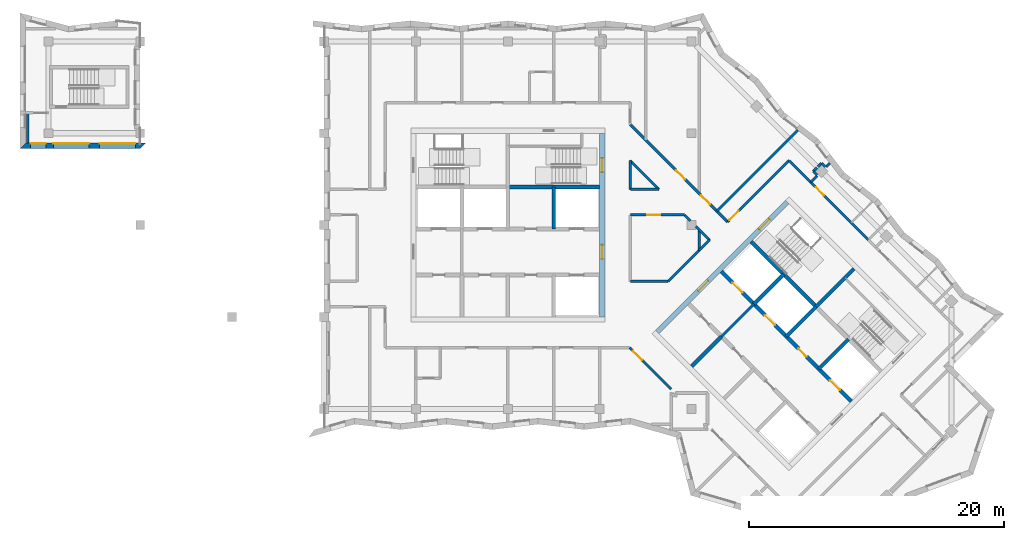
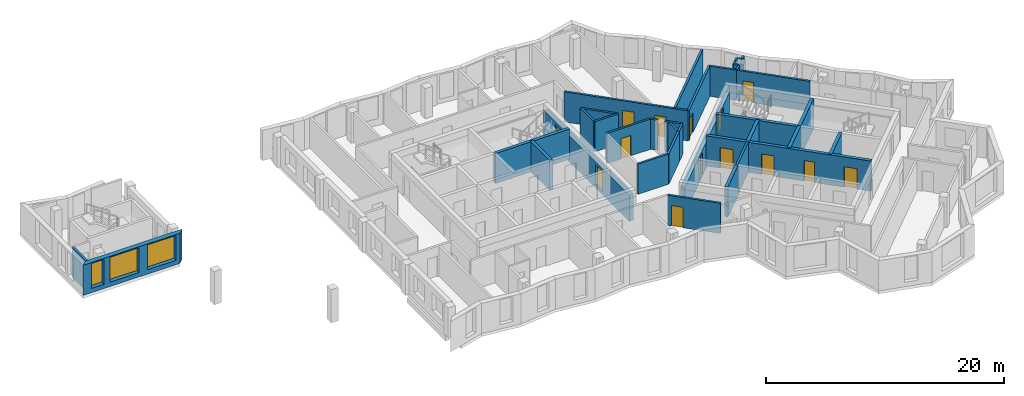
# One storey, part 4 of 12: 36 walls, 14 doors, 3 windows, 17 openings.
"""IFC4 building model written with IfcOpenShell, lengths in metres."""

from ifc_helpers import new_model, si_unit, direction, frame, frame_2d, origin, place, context, subcontext, project, spatial, polyline, rectangle, outline, extrude, material, layer, layer_set, type_object, element, fill, save


model = new_model("IFC4")

# Units and contexts
model_context = context("Model", 3, precision=1e-05, world=origin(), true_north=direction((0.0, 1.0)))
body_context = subcontext(model_context, "Body", "Model", "MODEL_VIEW")
ifc_project = project(units=[si_unit("LENGTHUNIT", "METRE"), si_unit("AREAUNIT", "SQUARE_METRE"), si_unit("VOLUMEUNIT", "CUBIC_METRE"), si_unit("PLANEANGLEUNIT", "RADIAN"), si_unit("MASSUNIT", "GRAM", prefix="KILO")], contexts=[model_context])

# Site, building, storey
site_placement = place(None, origin())
site = spatial("IfcSite", under=ifc_project, at=site_placement, CompositionType="ELEMENT")
building_placement = place(site_placement, origin())
building = spatial("IfcBuilding", under=site, at=building_placement, Name="Windrow Commons", CompositionType="ELEMENT")
storey_placement = place(building_placement, frame((0.0, 0.0, 257.4)))
storey = spatial("IfcBuildingStorey", under=building, at=storey_placement, Name="L70", CompositionType="ELEMENT", Elevation=257.4)

# Wall, openings, windows
ifc_material_1 = material(Name="Brick masonry, red clay brick", Category="masonry")
ifc_layer_1 = layer(ifc_material_1, 0.45)
ifc_layer_set_1 = layer_set([ifc_layer_1], Name="Brick facade wall 450")
wall_type_1 = type_object("IfcWallType", Name="Brick facade wall 450", PredefinedType="SOLIDWALL", material=ifc_layer_set_1)
wall_1_placement = place(storey_placement, frame((26.804, 63.825, 0.0), z_axis=(0.0, 0.0, 1.0), x_axis=(1.0, 0.0, 0.0)))
wall_1 = element("IfcWall", 1, at=wall_1_placement, inside=storey, type_object=wall_type_1, Name="Brick facade wall L70 32", PredefinedType="SOLIDWALL", context=body_context, shape_type="SweptSolid", body=[
    extrude(outline(polyline([(-0.225, -0.225), (9.196, -0.225), (9.646, 0.225), (0.225, 0.225), (-0.225, -0.225)])), origin(), (0.0, 0.0, 1.0), 3.1),
])
opening_1_placement = place(wall_1_placement, frame((2.396, 0.0, 0.45)))
opening_1 = element("IfcOpeningElement", 2, at=opening_1_placement, cuts=wall_1, Name="Opening W1V", PredefinedType="OPENING", context=body_context, shape_type="SweptSolid", body=[
    extrude(rectangle(XDim=2.8, YDim=2.55, at=frame_2d((1.4, 1.275))), frame((0.0, 0.235, 0.0), z_axis=(0.0, -1.0, 0.0), x_axis=(1.0, 0.0, 0.0)), (0.0, 0.0, 1.0), 0.47),
])
opening_2_placement = place(wall_1_placement, frame((6.0085, 0.0, 0.45)))
opening_2 = element("IfcOpeningElement", 3, at=opening_2_placement, cuts=wall_1, Name="Opening W1V", PredefinedType="OPENING", context=body_context, shape_type="SweptSolid", body=[
    extrude(rectangle(XDim=2.8, YDim=2.55, at=frame_2d((1.4, 1.275))), frame((0.0, 0.235, 0.0), z_axis=(0.0, -1.0, 0.0), x_axis=(1.0, 0.0, 0.0)), (0.0, 0.0, 1.0), 0.47),
])
opening_3_placement = place(wall_1_placement, frame((0.6105, 0.0, 0.45)))
opening_3 = element("IfcOpeningElement", 4, at=opening_3_placement, cuts=wall_1, Name="Opening W7F", PredefinedType="OPENING", context=body_context, shape_type="SweptSolid", body=[
    extrude(rectangle(XDim=1.2, YDim=2.55, at=frame_2d((0.6, 1.275))), frame((0.0, 0.235, 0.0), z_axis=(0.0, -1.0, 0.0), x_axis=(1.0, 0.0, 0.0)), (0.0, 0.0, 1.0), 0.47),
])
ifc_material_2 = material(Name="Clear float glass in anodised aluminium frame", Category="aluminium")
window_type_1 = type_object("IfcWindowType", Name="Window W1V bedroom 2800x2550", PartitioningType="SINGLE_PANEL", PredefinedType="WINDOW", material=ifc_material_2)
window_1_placement = place(opening_1_placement, origin())
window_1 = element("IfcWindow", 5, at=window_1_placement, inside=storey, type_object=window_type_1, Name="Window L70 32.1", OverallHeight=2.55, OverallWidth=2.8, PartitioningType="SINGLE_PANEL", PredefinedType="WINDOW", context=body_context, shape_type="SweptSolid", body=[
    extrude(rectangle(XDim=2.8, YDim=2.55, at=frame_2d((1.4, 1.275))), frame((0.0, 0.205, 0.0), z_axis=(0.0, -1.0, 0.0), x_axis=(1.0, 0.0, 0.0)), (0.0, 0.0, 1.0), 0.06),
])
fill(opening_1, window_1)
window_2_placement = place(opening_2_placement, origin())
window_2 = element("IfcWindow", 6, at=window_2_placement, inside=storey, type_object=window_type_1, Name="Window L70 32.2", OverallHeight=2.55, OverallWidth=2.8, PartitioningType="SINGLE_PANEL", PredefinedType="WINDOW", context=body_context, shape_type="SweptSolid", body=[
    extrude(rectangle(XDim=2.8, YDim=2.55, at=frame_2d((1.4, 1.275))), frame((0.0, 0.205, 0.0), z_axis=(0.0, -1.0, 0.0), x_axis=(1.0, 0.0, 0.0)), (0.0, 0.0, 1.0), 0.06),
])
fill(opening_2, window_2)
ifc_material_3 = material(Name="Clear float glass in anodised aluminium frame", Category="aluminium")
window_type_2 = type_object("IfcWindowType", Name="Window W7 notch 1200x2550", PartitioningType="SINGLE_PANEL", PredefinedType="WINDOW", material=ifc_material_3)
window_3_placement = place(opening_3_placement, origin())
window_3 = element("IfcWindow", 7, at=window_3_placement, inside=storey, type_object=window_type_2, Name="Window L70 32.3", OverallHeight=2.55, OverallWidth=1.2, PartitioningType="SINGLE_PANEL", PredefinedType="WINDOW", context=body_context, shape_type="SweptSolid", body=[
    extrude(rectangle(XDim=1.2, YDim=2.55, at=frame_2d((0.6, 1.275))), frame((0.0, 0.205, 0.0), z_axis=(0.0, -1.0, 0.0), x_axis=(1.0, 0.0, 0.0)), (0.0, 0.0, 1.0), 0.06),
])
fill(opening_3, window_3)

# Wall
ifc_material_4 = material(Name="Blockwork partition", Category="masonry")
ifc_layer_2 = layer(ifc_material_4, 0.2)
ifc_layer_set_2 = layer_set([ifc_layer_2], Name="Fire lobby partition 200")
wall_type_2 = type_object("IfcWallType", Name="Fire lobby partition 200", PredefinedType="PARTITIONING", material=ifc_layer_set_2)
wall_2_placement = place(storey_placement, frame((81.5335, 48.8776, 0.0), z_axis=(0.0, 0.0, 1.0), x_axis=(0.707092892, 0.7071206701, 0.0)))
element("IfcWall", 8, at=wall_2_placement, inside=storey, type_object=wall_type_2, Name="W-core-lobby-B-L70", PredefinedType="PARTITIONING", context=body_context, shape_type="SweptSolid", body=[
    extrude(rectangle(XDim=3.6, YDim=0.2, at=frame_2d((1.8, 0.0))), origin(), (0.0, 0.0, 1.0), 3.1),
])

# Wall, openings, doors
ifc_material_5 = material(Name="Blockwork partition", Category="masonry")
ifc_layer_3 = layer(ifc_material_5, 0.2)
ifc_layer_set_3 = layer_set([ifc_layer_3], Name="IW-CORRIDOR-200")
wall_type_3 = type_object("IfcWallType", Name="IW-CORRIDOR-200", PredefinedType="PARTITIONING", material=ifc_layer_set_3)
wall_3_placement = place(storey_placement, frame((74.3969, 65.4829, 0.0), z_axis=(0.0, 0.0, 1.0), x_axis=(0.7071067812, -0.7071067812, 0.0)))
wall_3 = element("IfcWall", 9, at=wall_3_placement, inside=storey, type_object=wall_type_3, Name="W-L70-W005", PredefinedType="PARTITIONING", context=body_context, shape_type="SweptSolid", body=[
    extrude(rectangle(XDim=10.7876, YDim=0.2, at=frame_2d((5.3938, 0.0))), origin(), (0.0, 0.0, 1.0), 3.1),
])
opening_4_placement = place(wall_3_placement, frame((5.0831, 0.0, 0.0)))
opening_4 = element("IfcOpeningElement", 10, at=opening_4_placement, cuts=wall_3, Name="Opening D310F", PredefinedType="OPENING", context=body_context, shape_type="SweptSolid", body=[
    extrude(rectangle(XDim=1.0, YDim=2.1, at=frame_2d((0.5, 1.05))), frame((0.0, 0.11, 0.0), z_axis=(0.0, -1.0, 0.0), x_axis=(1.0, 0.0, 0.0)), (0.0, 0.0, 1.0), 0.22),
])
opening_5_placement = place(wall_3_placement, frame((7.858, 0.0, 0.0)))
opening_5 = element("IfcOpeningElement", 11, at=opening_5_placement, cuts=wall_3, Name="Opening D310F", PredefinedType="OPENING", context=body_context, shape_type="SweptSolid", body=[
    extrude(rectangle(XDim=1.0, YDim=2.1, at=frame_2d((0.5, 1.05))), frame((0.0, 0.11, 0.0), z_axis=(0.0, -1.0, 0.0), x_axis=(1.0, 0.0, 0.0)), (0.0, 0.0, 1.0), 0.22),
])
ifc_material_6 = material(Name="Timber door leaf", Category="wood")
door_type_1 = type_object("IfcDoorType", Name="DT-AMENITY-1000", OperationType="SINGLE_SWING_LEFT", PredefinedType="DOOR", material=ifc_material_6)
door_1_placement = place(opening_4_placement, origin())
door_1 = element("IfcDoor", 12, at=door_1_placement, inside=storey, type_object=door_type_1, Name="D-L70-D016", OperationType="SINGLE_SWING_LEFT", OverallHeight=2.1, OverallWidth=1.0, PredefinedType="DOOR", context=body_context, shape_type="SweptSolid", body=[
    extrude(rectangle(XDim=1.0, YDim=2.1, at=frame_2d((0.5, 1.05))), frame((0.0, 0.025, 0.0), z_axis=(0.0, -1.0, 0.0), x_axis=(1.0, 0.0, 0.0)), (0.0, 0.0, 1.0), 0.05),
])
fill(opening_4, door_1)
door_2_placement = place(opening_5_placement, origin())
door_2 = element("IfcDoor", 13, at=door_2_placement, inside=storey, type_object=door_type_1, Name="D-L70-D018", OperationType="SINGLE_SWING_LEFT", OverallHeight=2.1, OverallWidth=1.0, PredefinedType="DOOR", context=body_context, shape_type="SweptSolid", body=[
    extrude(rectangle(XDim=1.0, YDim=2.1, at=frame_2d((0.5, 1.05))), frame((0.0, 0.025, 0.0), z_axis=(0.0, -1.0, 0.0), x_axis=(1.0, 0.0, 0.0)), (0.0, 0.0, 1.0), 0.05),
])
fill(opening_5, door_2)

# Wall, opening, door
wall_4_placement = place(storey_placement, frame((82.0275, 57.8585, 0.0), z_axis=(0.0, 0.0, 1.0), x_axis=(0.7071067812, 0.7071067812, 0.0)))
wall_4 = element("IfcWall", 14, at=wall_4_placement, inside=storey, type_object=wall_type_3, Name="W-L70-W012", PredefinedType="PARTITIONING", context=body_context, shape_type="SweptSolid", body=[
    extrude(rectangle(XDim=6.7995, YDim=0.2, at=frame_2d((3.3998, 0.0))), origin(), (0.0, 0.0, 1.0), 3.1),
])
opening_6_placement = place(wall_4_placement, frame((0.2109, 0.0, 0.0)))
opening_6 = element("IfcOpeningElement", 15, at=opening_6_placement, cuts=wall_4, Name="Opening D310F", PredefinedType="OPENING", context=body_context, shape_type="SweptSolid", body=[
    extrude(rectangle(XDim=1.0, YDim=2.1, at=frame_2d((0.5, 1.05))), frame((0.0, 0.11, 0.0), z_axis=(0.0, -1.0, 0.0), x_axis=(1.0, 0.0, 0.0)), (0.0, 0.0, 1.0), 0.22),
])
door_3_placement = place(opening_6_placement, origin())
door_3 = element("IfcDoor", 16, at=door_3_placement, inside=storey, type_object=door_type_1, Name="D-L70-D020", OperationType="SINGLE_SWING_RIGHT", OverallHeight=2.1, OverallWidth=1.0, PredefinedType="DOOR", context=body_context, shape_type="SweptSolid", body=[
    extrude(rectangle(XDim=1.0, YDim=2.1, at=frame_2d((0.5, 1.05))), frame((0.0, 0.025, 0.0), z_axis=(0.0, -1.0, 0.0), x_axis=(1.0, 0.0, 0.0)), (0.0, 0.0, 1.0), 0.05),
])
fill(opening_6, door_3)

wall_5_placement = place(storey_placement, frame((88.5373, 60.9733, 0.0), z_axis=(0.0, 0.0, 1.0), x_axis=(0.7071067812, -0.7071067812, 0.0)))
wall_5 = element("IfcWall", 17, at=wall_5_placement, inside=storey, type_object=wall_type_3, Name="W-L70-W014", PredefinedType="PARTITIONING", context=body_context, shape_type="SweptSolid", body=[
    extrude(rectangle(XDim=6.4007, YDim=0.2, at=frame_2d((3.2003, 0.0))), origin(), (0.0, 0.0, 1.0), 3.1),
])
opening_7_placement = place(wall_5_placement, frame((0.5685, 0.0, 0.0)))
opening_7 = element("IfcOpeningElement", 18, at=opening_7_placement, cuts=wall_5, Name="Opening D109S", PredefinedType="OPENING", context=body_context, shape_type="SweptSolid", body=[
    extrude(rectangle(XDim=0.9, YDim=2.1, at=frame_2d((0.45, 1.05))), frame((0.0, 0.11, 0.0), z_axis=(0.0, -1.0, 0.0), x_axis=(1.0, 0.0, 0.0)), (0.0, 0.0, 1.0), 0.22),
])
ifc_material_7 = material(Name="Timber door leaf", Category="wood")
door_type_2 = type_object("IfcDoorType", Name="DT-BEDROOM-900", OperationType="SINGLE_SWING_LEFT", PredefinedType="DOOR", material=ifc_material_7)
door_4_placement = place(opening_7_placement, origin())
door_4 = element("IfcDoor", 19, at=door_4_placement, inside=storey, type_object=door_type_2, Name="D-L70-D021", OperationType="SINGLE_SWING_LEFT", OverallHeight=2.1, OverallWidth=0.9, PredefinedType="DOOR", context=body_context, shape_type="SweptSolid", body=[
    extrude(rectangle(XDim=0.9, YDim=2.1, at=frame_2d((0.45, 1.05))), frame((0.0, 0.025, 0.0), z_axis=(0.0, -1.0, 0.0), x_axis=(1.0, 0.0, 0.0)), (0.0, 0.0, 1.0), 0.05),
])
fill(opening_7, door_4)

wall_6_placement = place(storey_placement, frame((74.3468, 47.9968, 0.0), z_axis=(0.0, 0.0, 1.0), x_axis=(0.7071067812, -0.7071067812, 0.0)))
wall_6 = element("IfcWall", 20, at=wall_6_placement, inside=storey, type_object=wall_type_3, Name="W-L70-W022", PredefinedType="PARTITIONING", context=body_context, shape_type="SweptSolid", body=[
    extrude(rectangle(XDim=4.5962, YDim=0.2, at=frame_2d((2.2981, 0.0))), origin(), (0.0, 0.0, 1.0), 3.1),
])
opening_8_placement = place(wall_6_placement, frame((0.3498, 0.0, 0.0)))
opening_8 = element("IfcOpeningElement", 21, at=opening_8_placement, cuts=wall_6, Name="Opening D310F", PredefinedType="OPENING", context=body_context, shape_type="SweptSolid", body=[
    extrude(rectangle(XDim=1.0, YDim=2.1, at=frame_2d((0.5, 1.05))), frame((0.0, 0.11, 0.0), z_axis=(0.0, -1.0, 0.0), x_axis=(1.0, 0.0, 0.0)), (0.0, 0.0, 1.0), 0.22),
])
door_5_placement = place(opening_8_placement, origin())
door_5 = element("IfcDoor", 22, at=door_5_placement, inside=storey, type_object=door_type_1, Name="D-L70-D006", OperationType="SINGLE_SWING_LEFT", OverallHeight=2.1, OverallWidth=1.0, PredefinedType="DOOR", context=body_context, shape_type="SweptSolid", body=[
    extrude(rectangle(XDim=1.0, YDim=2.1, at=frame_2d((0.5, 1.05))), frame((0.0, 0.025, 0.0), z_axis=(0.0, -1.0, 0.0), x_axis=(1.0, 0.0, 0.0)), (0.0, 0.0, 1.0), 0.05),
])
fill(opening_8, door_5)

wall_7_placement = place(storey_placement, frame((74.402, 58.4, 0.0), z_axis=(0.0, 0.0, 1.0), x_axis=(1.0, 0.0, 0.0)))
wall_7 = element("IfcWall", 23, at=wall_7_placement, inside=storey, type_object=wall_type_3, Name="W-L70-W030", PredefinedType="PARTITIONING", context=body_context, shape_type="SweptSolid", body=[
    extrude(rectangle(XDim=4.256, YDim=0.2, at=frame_2d((2.128, 0.0))), origin(), (0.0, 0.0, 1.0), 3.1),
])
opening_9_placement = place(wall_7_placement, frame((1.3312, 0.0, 0.0)))
opening_9 = element("IfcOpeningElement", 24, at=opening_9_placement, cuts=wall_7, Name="Opening D310F", PredefinedType="OPENING", context=body_context, shape_type="SweptSolid", body=[
    extrude(rectangle(XDim=1.0, YDim=2.1, at=frame_2d((0.5, 1.05))), frame((0.0, 0.11, 0.0), z_axis=(0.0, -1.0, 0.0), x_axis=(1.0, 0.0, 0.0)), (0.0, 0.0, 1.0), 0.22),
])
door_6_placement = place(opening_9_placement, origin())
door_6 = element("IfcDoor", 25, at=door_6_placement, inside=storey, type_object=door_type_1, Name="D-L70-D008", OperationType="SINGLE_SWING_RIGHT", OverallHeight=2.1, OverallWidth=1.0, PredefinedType="DOOR", context=body_context, shape_type="SweptSolid", body=[
    extrude(rectangle(XDim=1.0, YDim=2.1, at=frame_2d((0.5, 1.05))), frame((0.0, 0.025, 0.0), z_axis=(0.0, -1.0, 0.0), x_axis=(1.0, 0.0, 0.0)), (0.0, 0.0, 1.0), 0.05),
])
fill(opening_9, door_6)

# Walls
wall_8_placement = place(storey_placement, frame((77.3695, 53.2005, 0.0), z_axis=(0.0, 0.0, 1.0), x_axis=(0.7071067812, 0.7071067812, 0.0)))
element("IfcWall", 26, at=wall_8_placement, inside=storey, type_object=wall_type_3, Name="W-L70-W034", PredefinedType="PARTITIONING", context=body_context, shape_type="SweptSolid", body=[
    extrude(rectangle(XDim=3.4365, YDim=0.2, at=frame_2d((1.7183, 0.0))), origin(), (0.0, 0.0, 1.0), 3.1),
])
wall_9_placement = place(storey_placement, frame((74.3987, 62.6527, 0.0), z_axis=(0.0, 0.0, 1.0), x_axis=(0.7071067812, -0.7071067812, 0.0)))
element("IfcWall", 27, at=wall_9_placement, inside=storey, type_object=wall_type_3, Name="W-L70-W036", PredefinedType="PARTITIONING", context=body_context, shape_type="SweptSolid", body=[
    extrude(rectangle(XDim=3.1876, YDim=0.2, at=frame_2d((1.5938, 0.0))), origin(), (0.0, 0.0, 1.0), 3.1),
])
wall_10_placement = place(storey_placement, frame((74.402, 53.2, 0.0), z_axis=(0.0, 0.0, 1.0), x_axis=(1.0, 0.0, 0.0)))
element("IfcWall", 28, at=wall_10_placement, inside=storey, type_object=wall_type_3, Name="W-L70-W039", PredefinedType="PARTITIONING", context=body_context, shape_type="SweptSolid", body=[
    extrude(rectangle(XDim=2.968, YDim=0.2, at=frame_2d((1.484, 0.0))), origin(), (0.0, 0.0, 1.0), 3.1),
])
wall_11_placement = place(storey_placement, frame((86.8333, 62.6633, 0.0), z_axis=(0.0, 0.0, 1.0), x_axis=(0.7075233388, -0.706689978, 0.0)))
element("IfcWall", 29, at=wall_11_placement, inside=storey, type_object=wall_type_3, Name="W-L70-W053", PredefinedType="PARTITIONING", context=body_context, shape_type="SweptSolid", body=[
    extrude(rectangle(XDim=2.3999, YDim=0.2, at=frame_2d((1.2, 0.0))), origin(), (0.0, 0.0, 1.0), 3.1),
])
wall_12_placement = place(storey_placement, frame((27.2, 64.05, 0.0), z_axis=(0.0, 0.0, 1.0), x_axis=(0.0, 1.0, 0.0)))
element("IfcWall", 30, at=wall_12_placement, inside=storey, type_object=wall_type_3, Name="W-L70-W054", PredefinedType="PARTITIONING", context=body_context, shape_type="SweptSolid", body=[
    extrude(rectangle(XDim=2.348, YDim=0.2, at=frame_2d((1.174, 0.0))), origin(), (0.0, 0.0, 1.0), 3.1),
])
for number, where, z_axis, x_axis, name in (
    (31, (74.402, 60.4, 0.0), (0.0, 0.0, 1.0), (1.0, 0.0, 0.0), "W-L70-W058"),
    (32, (74.4, 60.402, 0.0), (0.0, 0.0, 1.0), (0.0, 1.0, 0.0), "W-L70-W059"),
):
    element("IfcWall", number, at=place(storey_placement, frame(where, z_axis=z_axis, x_axis=x_axis)), inside=storey, type_object=wall_type_3, Name=name, PredefinedType="PARTITIONING", context=body_context, shape_type="SweptSolid", body=[
        extrude(rectangle(XDim=2.254, YDim=0.2, at=frame_2d((1.127, 0.0))), origin(), (0.0, 0.0, 1.0), 3.1),
    ])
wall_13_placement = place(storey_placement, frame((79.5467, 57.5047, 0.0), z_axis=(0.0, 0.0, 1.0), x_axis=(0.7071067812, -0.7071067812, 0.0)))
element("IfcWall", 33, at=wall_13_placement, inside=storey, type_object=wall_type_3, Name="W-L70-W073", PredefinedType="PARTITIONING", context=body_context, shape_type="SweptSolid", body=[
    extrude(rectangle(XDim=1.5047, YDim=0.2, at=frame_2d((0.7523, 0.0))), origin(), (0.0, 0.0, 1.0), 3.1),
])
wall_14_placement = place(storey_placement, frame((79.7979, 55.6321, 0.0), z_axis=(0.0, 0.0, 1.0), x_axis=(0.7079759957, 0.7062364969, 0.0)))
element("IfcWall", 34, at=wall_14_placement, inside=storey, type_object=wall_type_3, Name="W-L70-W076", PredefinedType="PARTITIONING", context=body_context, shape_type="SweptSolid", body=[
    extrude(rectangle(XDim=1.1498, YDim=0.2, at=frame_2d((0.5749, 0.0))), origin(), (0.0, 0.0, 1.0), 3.1),
])
wall_15_placement = place(storey_placement, frame((78.6547, 58.3967, 0.0), z_axis=(0.0, 0.0, 1.0), x_axis=(0.7071067812, -0.7071067812, 0.0)))
element("IfcWall", 35, at=wall_15_placement, inside=storey, type_object=wall_type_3, Name="W-L70-W085", PredefinedType="PARTITIONING", context=body_context, shape_type="SweptSolid", body=[
    extrude(rectangle(XDim=0.6364, YDim=0.2, at=frame_2d((0.3182, 0.0))), origin(), (0.0, 0.0, 1.0), 3.1),
])
ifc_material_8 = material(Name="Blockwork partition", Category="masonry")
ifc_layer_4 = layer(ifc_material_8, 0.2)
ifc_layer_set_4 = layer_set([ifc_layer_4], Name="IW-PARTY-200")
wall_type_4 = type_object("IfcWallType", Name="IW-PARTY-200", PredefinedType="PARTITIONING", material=ifc_layer_set_4)
wall_16_placement = place(storey_placement, frame((81.1819, 58.7041, 0.0), z_axis=(0.0, 0.0, 1.0), x_axis=(0.7069952238, 0.707218321, 0.0)))
element("IfcWall", 36, at=wall_16_placement, inside=storey, type_object=wall_type_4, Name="W-L70-W007", PredefinedType="PARTITIONING", context=body_context, shape_type="SweptSolid", body=[
    extrude(rectangle(XDim=8.9647, YDim=0.2, at=frame_2d((4.4824, 0.0))), origin(), (0.0, 0.0, 1.0), 3.1),
])
wall_17_placement = place(storey_placement, frame((79.8, 55.63, 0.0), z_axis=(0.0, 0.0, 1.0), x_axis=(0.0, 1.0, 0.0)))
element("IfcWall", 37, at=wall_17_placement, inside=storey, type_object=wall_type_4, Name="W-L70-W070", PredefinedType="PARTITIONING", context=body_context, shape_type="SweptSolid", body=[
    extrude(rectangle(XDim=1.628, YDim=0.2, at=frame_2d((0.814, 0.0))), origin(), (0.0, 0.0, 1.0), 3.1),
])
wall_18_placement = place(storey_placement, frame((88.5335, 60.9705, 0.0), z_axis=(0.0, 0.0, 1.0), x_axis=(0.7071067812, 0.7071067812, 0.0)))
element("IfcWall", 38, at=wall_18_placement, inside=storey, type_object=wall_type_4, Name="W-L70-W084", PredefinedType="PARTITIONING", context=body_context, shape_type="SweptSolid", body=[
    extrude(rectangle(XDim=0.7043, YDim=0.2, at=frame_2d((0.3522, 0.0))), origin(), (0.0, 0.0, 1.0), 3.1),
])
for number, where, z_axis, x_axis, name in (
    (39, (88.7426, 61.8146, 0.0), (0.0, 0.0, 1.0), (0.7071067812, -0.7071067812, 0.0), "W-L70-W097"),
    (40, (89.3861, 62.4581, 0.0), (0.0, 0.0, 1.0), (0.7071067812, -0.7071067812, 0.0), "W-L70-W098"),
    (41, (88.7413, 61.8147, 0.0), (0.0, 0.0, 1.0), (0.7071067812, 0.7071067812, 0.0), "W-L70-W099"),
    (42, (89.0953, 62.1687, 0.0), (0.0, 0.0, 1.0), (0.7071067812, 0.7071067812, 0.0), "W-L70-W100"),
):
    element("IfcWall", number, at=place(storey_placement, frame(where, z_axis=z_axis, x_axis=x_axis)), inside=storey, type_object=wall_type_4, Name=name, PredefinedType="PARTITIONING", context=body_context, shape_type="SweptSolid", body=[
        extrude(rectangle(XDim=0.4101, YDim=0.2, at=frame_2d((0.2051, 0.0))), origin(), (0.0, 0.0, 1.0), 3.1),
    ])
wall_19_placement = place(storey_placement, frame((89.7315, 62.1685, 0.0), z_axis=(0.0, 0.0, 1.0), x_axis=(0.7072255528, 0.7069879896, 0.0)))
element("IfcWall", 43, at=wall_19_placement, inside=storey, type_object=wall_type_4, Name="W-L70-W101", PredefinedType="PARTITIONING", context=body_context, shape_type="SweptSolid", body=[
    extrude(rectangle(XDim=0.4209, YDim=0.2, at=frame_2d((0.2104, 0.0))), origin(), (0.0, 0.0, 1.0), 3.1),
])

# Wall, openings, doors
ifc_material_9 = material(Name="Concrete C40/50", Category="concrete")
ifc_layer_5 = layer(ifc_material_9, 0.4)
ifc_layer_set_5 = layer_set([ifc_layer_5], Name="RC CORE WALL 400 C40/50")
wall_type_5 = type_object("IfcWallType", Name="RC CORE WALL 400 C40/50", PredefinedType="SHEAR", material=ifc_layer_set_5)
wall_20_placement = place(storey_placement, frame((72.2, 50.4, -0.3), z_axis=(0.0, 0.0, 1.0), x_axis=(0.0, 1.0, 0.0)))
wall_20 = element("IfcWall", 44, at=wall_20_placement, inside=storey, type_object=wall_type_5, Name="Core A wall outer-E", PredefinedType="SHEAR", context=body_context, shape_type="SweptSolid", body=[
    extrude(rectangle(XDim=14.4, YDim=0.4, at=frame_2d((7.2, 0.0))), origin(), (0.0, 0.0, 1.0), 2.7),
])
opening_10_placement = place(wall_20_placement, frame((4.55, 0.0, 0.3)))
opening_10 = element("IfcOpeningElement", 45, at=opening_10_placement, cuts=wall_20, Name="Opening D6", PredefinedType="OPENING", context=body_context, shape_type="SweptSolid", body=[
    extrude(rectangle(XDim=1.1, YDim=2.1, at=frame_2d((0.55, 1.05))), frame((0.0, 0.21, 0.0), z_axis=(0.0, -1.0, 0.0), x_axis=(1.0, 0.0, 0.0)), (0.0, 0.0, 1.0), 0.42),
])
opening_11_placement = place(wall_20_placement, frame((11.35, 0.0, 0.3)))
opening_11 = element("IfcOpeningElement", 46, at=opening_11_placement, cuts=wall_20, Name="Opening D7", PredefinedType="OPENING", context=body_context, shape_type="SweptSolid", body=[
    extrude(rectangle(XDim=1.1, YDim=2.1, at=frame_2d((0.55, 1.05))), frame((0.0, 0.21, 0.0), z_axis=(0.0, -1.0, 0.0), x_axis=(1.0, 0.0, 0.0)), (0.0, 0.0, 1.0), 0.42),
])
ifc_material_10 = material(Name="Steel fire door leaf", Category="steel")
door_type_3 = type_object("IfcDoorType", Name="Core lobby door 1100", OperationType="SINGLE_SWING_LEFT", PredefinedType="DOOR", material=ifc_material_10)
door_7_placement = place(opening_10_placement, origin())
door_7 = element("IfcDoor", 47, at=door_7_placement, inside=storey, type_object=door_type_3, Name="Lift lobby door", OperationType="DOUBLE_DOOR_SINGLE_SWING", OverallHeight=2.1, OverallWidth=1.1, PredefinedType="DOOR", context=body_context, shape_type="SweptSolid", body=[
    extrude(rectangle(XDim=1.1, YDim=2.1, at=frame_2d((0.55, 1.05))), frame((0.0, 0.025, 0.0), z_axis=(0.0, -1.0, 0.0), x_axis=(1.0, 0.0, 0.0)), (0.0, 0.0, 1.0), 0.05),
])
fill(opening_10, door_7)
ifc_material_11 = material(Name="Steel fire door leaf", Category="steel")
door_type_4 = type_object("IfcDoorType", Name="Stair door 1100", OperationType="SINGLE_SWING_LEFT", PredefinedType="DOOR", material=ifc_material_11)
door_8_placement = place(opening_11_placement, origin())
door_8 = element("IfcDoor", 48, at=door_8_placement, inside=storey, type_object=door_type_4, Name="Stair door", OperationType="SINGLE_SWING_RIGHT", OverallHeight=2.1, OverallWidth=1.1, PredefinedType="DOOR", context=body_context, shape_type="SweptSolid", body=[
    extrude(rectangle(XDim=1.1, YDim=2.1, at=frame_2d((0.55, 1.05))), frame((0.0, 0.025, 0.0), z_axis=(0.0, -1.0, 0.0), x_axis=(1.0, 0.0, 0.0)), (0.0, 0.0, 1.0), 0.05),
])
fill(opening_11, door_8)

wall_21_placement = place(storey_placement, frame((76.513, 49.2312, -0.3), z_axis=(0.0, 0.0, 1.0), x_axis=(0.7071067812, 0.7071067812, 0.0)))
wall_21 = element("IfcWall", 49, at=wall_21_placement, inside=storey, type_object=wall_type_5, Name="Core B wall outer-W", PredefinedType="SHEAR", context=body_context, shape_type="SweptSolid", body=[
    extrude(rectangle(XDim=14.3999, YDim=0.4, at=frame_2d((7.2, 0.0))), origin(), (0.0, 0.0, 1.0), 2.7),
])
opening_12_placement = place(wall_21_placement, frame((4.55, 0.0, 0.3)))
opening_12 = element("IfcOpeningElement", 50, at=opening_12_placement, cuts=wall_21, Name="Opening D6", PredefinedType="OPENING", context=body_context, shape_type="SweptSolid", body=[
    extrude(rectangle(XDim=1.1, YDim=2.1, at=frame_2d((0.55, 1.05))), frame((0.0, 0.21, 0.0), z_axis=(0.0, -1.0, 0.0), x_axis=(1.0, 0.0, 0.0)), (0.0, 0.0, 1.0), 0.42),
])
opening_13_placement = place(wall_21_placement, frame((11.35, 0.0, 0.3)))
opening_13 = element("IfcOpeningElement", 51, at=opening_13_placement, cuts=wall_21, Name="Opening D7", PredefinedType="OPENING", context=body_context, shape_type="SweptSolid", body=[
    extrude(rectangle(XDim=1.1, YDim=2.1, at=frame_2d((0.55, 1.05))), frame((0.0, 0.21, 0.0), z_axis=(0.0, -1.0, 0.0), x_axis=(1.0, 0.0, 0.0)), (0.0, 0.0, 1.0), 0.42),
])
door_9_placement = place(opening_12_placement, origin())
door_9 = element("IfcDoor", 52, at=door_9_placement, inside=storey, type_object=door_type_3, Name="Lift lobby door", OperationType="DOUBLE_DOOR_SINGLE_SWING", OverallHeight=2.1, OverallWidth=1.1, PredefinedType="DOOR", context=body_context, shape_type="SweptSolid", body=[
    extrude(rectangle(XDim=1.1, YDim=2.1, at=frame_2d((0.55, 1.05))), frame((0.0, 0.025, 0.0), z_axis=(0.0, -1.0, 0.0), x_axis=(1.0, 0.0, 0.0)), (0.0, 0.0, 1.0), 0.05),
])
fill(opening_12, door_9)
door_10_placement = place(opening_13_placement, origin())
door_10 = element("IfcDoor", 53, at=door_10_placement, inside=storey, type_object=door_type_4, Name="Stair door", OperationType="SINGLE_SWING_LEFT", OverallHeight=2.1, OverallWidth=1.1, PredefinedType="DOOR", context=body_context, shape_type="SweptSolid", body=[
    extrude(rectangle(XDim=1.1, YDim=2.1, at=frame_2d((0.55, 1.05))), frame((0.0, 0.025, 0.0), z_axis=(0.0, -1.0, 0.0), x_axis=(1.0, 0.0, 0.0)), (0.0, 0.0, 1.0), 0.05),
])
fill(opening_13, door_10)

# Walls
ifc_material_12 = material(Name="Concrete C40/50", Category="concrete")
ifc_layer_6 = layer(ifc_material_12, 0.3)
ifc_layer_set_6 = layer_set([ifc_layer_6], Name="RC SHAFT WALL 300 C40/50")
wall_type_6 = type_object("IfcWallType", Name="RC SHAFT WALL 300 C40/50", PredefinedType="SOLIDWALL", material=ifc_layer_set_6)
wall_22_placement = place(storey_placement, frame((68.4, 57.3, 0.0), z_axis=(0.0, 0.0, 1.0), x_axis=(0.0, 1.0, 0.0)))
element("IfcWall", 54, at=wall_22_placement, inside=storey, type_object=wall_type_6, Name="Core A wall shaft-N3", PredefinedType="SOLIDWALL", context=body_context, shape_type="SweptSolid", body=[
    extrude(rectangle(XDim=3.3, YDim=0.3, at=frame_2d((1.65, 0.0))), origin(), (0.0, 0.0, 1.0), 3.1),
])
wall_23_placement = place(storey_placement, frame((64.8, 60.6, 0.0), z_axis=(0.0, 0.0, 1.0), x_axis=(1.0, 0.0, 0.0)))
element("IfcWall", 55, at=wall_23_placement, inside=storey, type_object=wall_type_6, Name="Core A wall stair-S2", PredefinedType="SOLIDWALL", context=body_context, shape_type="SweptSolid", body=[
    extrude(rectangle(XDim=7.2, YDim=0.3, at=frame_2d((3.6, 0.0))), origin(), (0.0, 0.0, 1.0), 3.1),
])
for number, where, z_axis, x_axis, name in (
    (56, (79.2, 46.5442, 0.0), (0.0, 0.0, 1.0), (0.7071219326, 0.7070916295, 0.0), "Core B wall shaft-S1"),
    (57, (84.079, 51.4232, 0.0), (0.0, 0.0, 1.0), (0.7071219326, 0.7070916295, 0.0), "Core B wall shaft-N1"),
):
    element("IfcWall", number, at=place(storey_placement, frame(where, z_axis=z_axis, x_axis=x_axis)), inside=storey, type_object=wall_type_6, Name=name, PredefinedType="SOLIDWALL", context=body_context, shape_type="SweptSolid", body=[
        extrude(rectangle(XDim=3.3, YDim=0.3, at=frame_2d((1.65, 0.0))), origin(), (0.0, 0.0, 1.0), 3.1),
    ])
for number, where, z_axis, x_axis, name in (
    (58, (86.6246, 48.8776, 0.0), (0.0, 0.0, 1.0), (0.7071067812, 0.7071067812, 0.0), "Core B wall shaft-N2"),
    (59, (89.1702, 46.332, 0.0), (0.0, 0.0, 1.0), (0.7071067812, 0.7071067812, 0.0), "Core B wall shaft-N3"),
):
    element("IfcWall", number, at=place(storey_placement, frame(where, z_axis=z_axis, x_axis=x_axis)), inside=storey, type_object=wall_type_6, Name=name, PredefinedType="SOLIDWALL", context=body_context, shape_type="SweptSolid", body=[
        extrude(rectangle(XDim=3.3001, YDim=0.3, at=frame_2d((1.6501, 0.0))), origin(), (0.0, 0.0, 1.0), 3.1),
    ])

# Wall, openings, doors
wall_24_placement = place(storey_placement, frame((81.5335, 53.9688, 0.0), z_axis=(0.0, 0.0, 1.0), x_axis=(0.707103309, -0.7071102534, 0.0)))
wall_24 = element("IfcWall", 60, at=wall_24_placement, inside=storey, type_object=wall_type_6, Name="Core B wall lobby-N", PredefinedType="SOLIDWALL", context=body_context, shape_type="SweptSolid", body=[
    extrude(rectangle(XDim=14.4, YDim=0.3, at=frame_2d((7.2, 0.0))), origin(), (0.0, 0.0, 1.0), 3.1),
])
opening_14_placement = place(wall_24_placement, frame((8.55, 0.0, 0.0)))
opening_14 = element("IfcOpeningElement", 61, at=opening_14_placement, cuts=wall_24, Name="Opening D8", PredefinedType="OPENING", context=body_context, shape_type="SweptSolid", body=[
    extrude(rectangle(XDim=0.9, YDim=2.1, at=frame_2d((0.45, 1.05))), frame((0.0, 0.16, 0.0), z_axis=(0.0, -1.0, 0.0), x_axis=(1.0, 0.0, 0.0)), (0.0, 0.0, 1.0), 0.32),
])
opening_15_placement = place(wall_24_placement, frame((1.25, 0.0, 0.0)))
opening_15 = element("IfcOpeningElement", 62, at=opening_15_placement, cuts=wall_24, Name="Opening LD", PredefinedType="OPENING", context=body_context, shape_type="SweptSolid", body=[
    extrude(rectangle(XDim=1.1, YDim=2.1, at=frame_2d((0.55, 1.05))), frame((0.0, 0.16, 0.0), z_axis=(0.0, -1.0, 0.0), x_axis=(1.0, 0.0, 0.0)), (0.0, 0.0, 1.0), 0.32),
])
opening_16_placement = place(wall_24_placement, frame((4.85, 0.0, 0.0)))
opening_16 = element("IfcOpeningElement", 63, at=opening_16_placement, cuts=wall_24, Name="Opening LD", PredefinedType="OPENING", context=body_context, shape_type="SweptSolid", body=[
    extrude(rectangle(XDim=1.1, YDim=2.1, at=frame_2d((0.55, 1.05))), frame((0.0, 0.16, 0.0), z_axis=(0.0, -1.0, 0.0), x_axis=(1.0, 0.0, 0.0)), (0.0, 0.0, 1.0), 0.32),
])
opening_17_placement = place(wall_24_placement, frame((12.05, 0.0, 0.0)))
opening_17 = element("IfcOpeningElement", 64, at=opening_17_placement, cuts=wall_24, Name="Opening LD", PredefinedType="OPENING", context=body_context, shape_type="SweptSolid", body=[
    extrude(rectangle(XDim=1.1, YDim=2.1, at=frame_2d((0.55, 1.05))), frame((0.0, 0.16, 0.0), z_axis=(0.0, -1.0, 0.0), x_axis=(1.0, 0.0, 0.0)), (0.0, 0.0, 1.0), 0.32),
])
ifc_material_13 = material(Name="Steel fire door leaf", Category="steel")
door_type_5 = type_object("IfcDoorType", Name="Core store door 900", OperationType="SINGLE_SWING_LEFT", PredefinedType="DOOR", material=ifc_material_13)
door_11_placement = place(opening_14_placement, origin())
door_11 = element("IfcDoor", 65, at=door_11_placement, inside=storey, type_object=door_type_5, Name="Store door", OperationType="SINGLE_SWING_LEFT", OverallHeight=2.1, OverallWidth=0.9, PredefinedType="DOOR", context=body_context, shape_type="SweptSolid", body=[
    extrude(rectangle(XDim=0.9, YDim=2.1, at=frame_2d((0.45, 1.05))), frame((0.0, 0.025, 0.0), z_axis=(0.0, -1.0, 0.0), x_axis=(1.0, 0.0, 0.0)), (0.0, 0.0, 1.0), 0.05),
])
fill(opening_14, door_11)
ifc_material_14 = material(Name="Stainless steel door leaf", Category="steel")
door_type_6 = type_object("IfcDoorType", Name="Lift landing door 1100", OperationType="SLIDING_TO_LEFT", PredefinedType="DOOR", material=ifc_material_14)
door_12_placement = place(opening_15_placement, origin())
door_12 = element("IfcDoor", 66, at=door_12_placement, inside=storey, type_object=door_type_6, Name="Lift landing door", OperationType="SLIDING_TO_LEFT", OverallHeight=2.1, OverallWidth=1.1, PredefinedType="DOOR", context=body_context, shape_type="SweptSolid", body=[
    extrude(rectangle(XDim=1.1, YDim=2.1, at=frame_2d((0.55, 1.05))), frame((0.0, 0.025, 0.0), z_axis=(0.0, -1.0, 0.0), x_axis=(1.0, 0.0, 0.0)), (0.0, 0.0, 1.0), 0.05),
])
fill(opening_15, door_12)
door_13_placement = place(opening_16_placement, origin())
door_13 = element("IfcDoor", 67, at=door_13_placement, inside=storey, type_object=door_type_6, Name="Lift landing door", OperationType="SLIDING_TO_RIGHT", OverallHeight=2.1, OverallWidth=1.1, PredefinedType="DOOR", context=body_context, shape_type="SweptSolid", body=[
    extrude(rectangle(XDim=1.1, YDim=2.1, at=frame_2d((0.55, 1.05))), frame((0.0, 0.025, 0.0), z_axis=(0.0, -1.0, 0.0), x_axis=(1.0, 0.0, 0.0)), (0.0, 0.0, 1.0), 0.05),
])
fill(opening_16, door_13)
door_14_placement = place(opening_17_placement, origin())
door_14 = element("IfcDoor", 68, at=door_14_placement, inside=storey, type_object=door_type_6, Name="Lift landing door", OperationType="SLIDING_TO_RIGHT", OverallHeight=2.1, OverallWidth=1.1, PredefinedType="DOOR", context=body_context, shape_type="SweptSolid", body=[
    extrude(rectangle(XDim=1.1, YDim=2.1, at=frame_2d((0.55, 1.05))), frame((0.0, 0.025, 0.0), z_axis=(0.0, -1.0, 0.0), x_axis=(1.0, 0.0, 0.0)), (0.0, 0.0, 1.0), 0.05),
])
fill(opening_17, door_14)

# Walls
wall_25_placement = place(storey_placement, frame((83.8669, 56.3022, 0.0), z_axis=(0.0, 0.0, 1.0), x_axis=(0.7071137256, -0.7070998367, 0.0)))
element("IfcWall", 69, at=wall_25_placement, inside=storey, type_object=wall_type_6, Name="Core B wall stair-S", PredefinedType="SOLIDWALL", context=body_context, shape_type="SweptSolid", body=[
    extrude(rectangle(XDim=7.2, YDim=0.3, at=frame_2d((3.6, 0.0))), origin(), (0.0, 0.0, 1.0), 3.1),
])
wall_26_placement = place(storey_placement, frame((88.9581, 51.2111, 0.0), z_axis=(0.0, 0.0, 1.0), x_axis=(0.7071067812, 0.7071067812, 0.0)))
element("IfcWall", 70, at=wall_26_placement, inside=storey, type_object=wall_type_6, Name="Core B wall stair-mid", PredefinedType="SOLIDWALL", context=body_context, shape_type="SweptSolid", body=[
    extrude(rectangle(XDim=4.1999, YDim=0.3, at=frame_2d((2.1, 0.0))), origin(), (0.0, 0.0, 1.0), 3.1),
])

save(model, "model.ifc")
